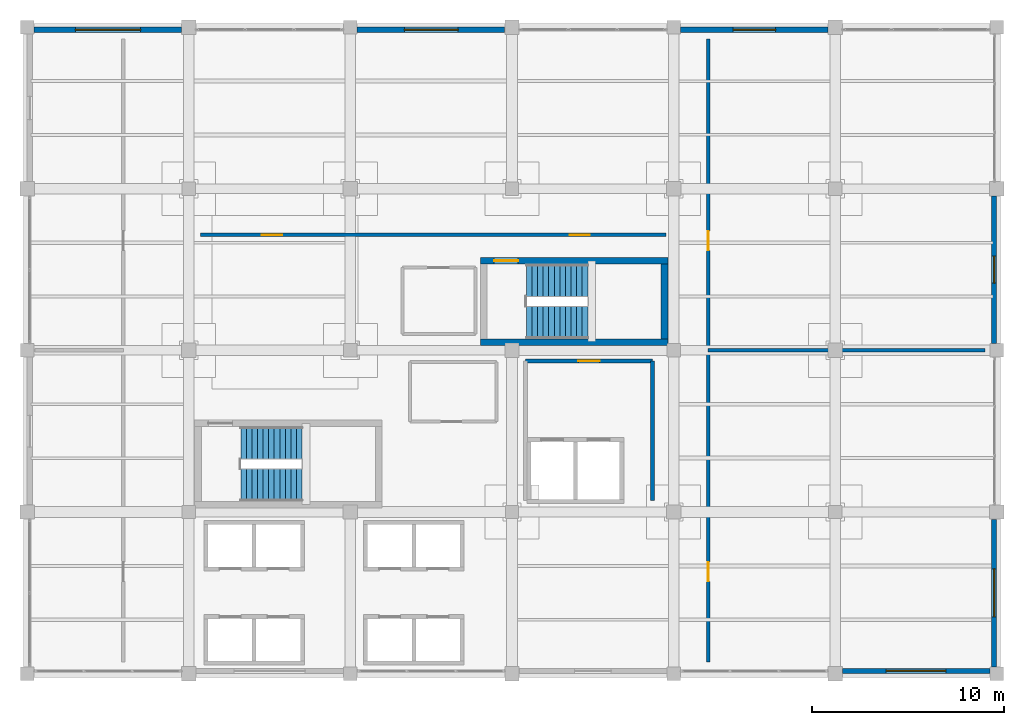
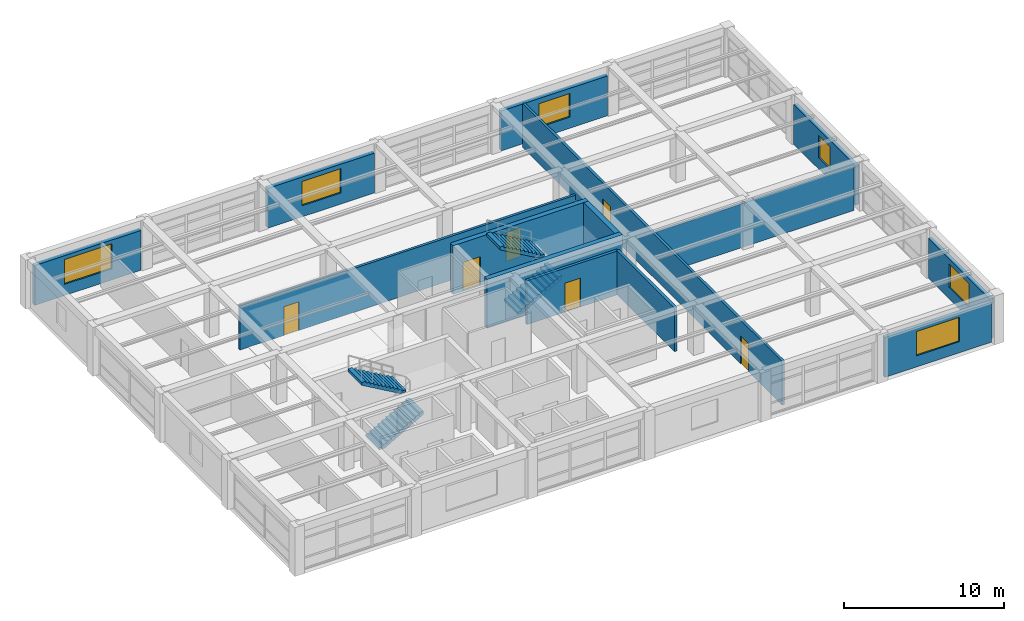
# One storey, part 25 of 26: 14 walls, 6 doors, 6 windows, 4 stair flights, 12 openings, 2 elements without a shape of their own.
"""IFC4 building model written with IfcOpenShell, lengths in metres."""

from ifc_helpers import new_model, si_unit, direction, frame, frame_2d, origin, place, context, subcontext, project, spatial, polyline, rectangle, outline, extrude, material, layer, layer_set, type_object, element, fill, aggregate, save


model = new_model("IFC4")

# Units and contexts
model_context = context("Model", 3, precision=1e-05, world=origin(), true_north=direction((0.0, 1.0)))
body_context = subcontext(model_context, "Body", "Model", "MODEL_VIEW")
ifc_project = project(units=[si_unit("LENGTHUNIT", "METRE"), si_unit("AREAUNIT", "SQUARE_METRE"), si_unit("VOLUMEUNIT", "CUBIC_METRE"), si_unit("PLANEANGLEUNIT", "RADIAN"), si_unit("MASSUNIT", "GRAM", prefix="KILO")], contexts=[model_context])

# Site, building, storey
site_placement = place(None, origin())
site = spatial("IfcSite", under=ifc_project, at=site_placement, CompositionType="ELEMENT")
building_placement = place(site_placement, origin())
building = spatial("IfcBuilding", under=site, at=building_placement, Name="Almacenes y Pasaje Nevantli", CompositionType="ELEMENT")
storey_placement = place(building_placement, frame((0.0, 0.0, 30.699951171875)))
storey = spatial("IfcBuildingStorey", under=building, at=storey_placement, Name="L07", CompositionType="ELEMENT", Elevation=30.699951171875)

# Wall, openings, doors
ifc_material_1 = material(Name="Insulated Double-Gypsum Fire Partition", Category="gypsum")
ifc_layer_1 = layer(ifc_material_1, 0.179931640625)
ifc_layer_set_1 = layer_set([ifc_layer_1], Name="Insulated Double-Gypsum Fire Partition")
wall_type_1 = type_object("IfcWallType", Name="WL-COMP-180", PredefinedType="PARTITIONING", material=ifc_layer_set_1)
wall_1_placement = place(storey_placement, frame((118.199951171875, 90.0, 0.0), z_axis=(0.0, 0.0, 1.0), x_axis=(1.0, 0.0, 0.0)))
wall_1 = element("IfcWall", 1, at=wall_1_placement, inside=storey, type_object=wall_type_1, Name="L07 Interior Partition Wall IW-180 #140", PredefinedType="PARTITIONING", context=body_context, shape_type="SweptSolid", body=[
    extrude(rectangle(XDim=24.199951171875, YDim=0.179931640625, at=frame_2d((12.10009765625, 0.0))), origin(), (0.0, 0.0, 1.0), 3.340087890625),
])
opening_1_placement = place(wall_1_placement, frame((3.199951171875, 0.0, 0.0)))
opening_1 = element("IfcOpeningElement", 2, at=opening_1_placement, cuts=wall_1, Name="Opening ID-L07-075", PredefinedType="OPENING", context=body_context, shape_type="SweptSolid", body=[
    extrude(rectangle(XDim=1.050048828125, YDim=2.199951171875, at=frame_2d((0.52490234375, 1.10009765625))), frame((0.0, 0.099853515625, 0.0), z_axis=(0.0, -1.0, 0.0), x_axis=(1.0, 0.0, 0.0)), (0.0, 0.0, 1.0), 0.199951171875),
])
opening_2_placement = place(wall_1_placement, frame((19.199951171875, 0.0, 0.0)))
opening_2 = element("IfcOpeningElement", 3, at=opening_2_placement, cuts=wall_1, Name="Opening ID-L07-076", PredefinedType="OPENING", context=body_context, shape_type="SweptSolid", body=[
    extrude(rectangle(XDim=1.050048828125, YDim=2.199951171875, at=frame_2d((0.52490234375, 1.10009765625))), frame((0.0, 0.099853515625, 0.0), z_axis=(0.0, -1.0, 0.0), x_axis=(1.0, 0.0, 0.0)), (0.0, 0.0, 1.0), 0.199951171875),
])
ifc_material_2 = material(Name="Fire-Rated Mineral-Core Steel", Category="steel")
door_type_1 = type_object("IfcDoorType", Name="DR-FD60-1050", OperationType="SINGLE_SWING_LEFT", PredefinedType="DOOR", material=ifc_material_2)
door_1_placement = place(opening_1_placement, origin())
door_1 = element("IfcDoor", 4, at=door_1_placement, inside=storey, type_object=door_type_1, Name="L07 L07 North Suite Door 1", OperationType="SINGLE_SWING_LEFT", OverallHeight=2.199951171875, OverallWidth=1.050048828125, PredefinedType="DOOR", context=body_context, shape_type="SweptSolid", body=[
    extrude(rectangle(XDim=1.050048828125, YDim=2.199951171875, at=frame_2d((0.52490234375, 1.10009765625))), frame((0.0, 0.02490234375, 0.0), z_axis=(0.0, -1.0, 0.0), x_axis=(1.0, 0.0, 0.0)), (0.0, 0.0, 1.0), 0.050048828125),
])
fill(opening_1, door_1)
ifc_material_3 = material(Name="Fire-Rated Mineral-Core Steel", Category="steel")
door_type_2 = type_object("IfcDoorType", Name="DR-FD60-1050R", OperationType="SINGLE_SWING_RIGHT", PredefinedType="DOOR", material=ifc_material_3)
door_2_placement = place(opening_2_placement, origin())
door_2 = element("IfcDoor", 5, at=door_2_placement, inside=storey, type_object=door_type_2, Name="L07 L07 North Suite Door 2", OperationType="SINGLE_SWING_RIGHT", OverallHeight=2.199951171875, OverallWidth=1.050048828125, PredefinedType="DOOR", context=body_context, shape_type="SweptSolid", body=[
    extrude(rectangle(XDim=1.050048828125, YDim=2.199951171875, at=frame_2d((0.52490234375, 1.10009765625))), frame((0.0, 0.02490234375, 0.0), z_axis=(0.0, -1.0, 0.0), x_axis=(1.0, 0.0, 0.0)), (0.0, 0.0, 1.0), 0.050048828125),
])
fill(opening_2, door_2)

wall_2_placement = place(storey_placement, frame((144.60009765625, 67.800048828125, 0.0), z_axis=(0.0, 0.0, 1.0), x_axis=(0.0, 1.0, 0.0)))
wall_2 = element("IfcWall", 6, at=wall_2_placement, inside=storey, type_object=wall_type_1, Name="L07 Interior Partition Wall IW-180 #141", PredefinedType="PARTITIONING", context=body_context, shape_type="SweptSolid", body=[
    extrude(rectangle(XDim=32.39990234375, YDim=0.179931640625, at=frame_2d((16.199951171875, 0.0))), origin(), (0.0, 0.0, 1.0), 3.340087890625),
])
opening_3_placement = place(wall_2_placement, frame((4.199951171875, 0.0, 0.0)))
opening_3 = element("IfcOpeningElement", 7, at=opening_3_placement, cuts=wall_2, Name="Opening ID-L07-077", PredefinedType="OPENING", context=body_context, shape_type="SweptSolid", body=[
    extrude(rectangle(XDim=1.0, YDim=2.14990234375, at=frame_2d((0.5, 1.074951171875))), frame((0.0, 0.099853515625, 0.0), z_axis=(0.0, -1.0, 0.0), x_axis=(1.0, 0.0, 0.0)), (0.0, 0.0, 1.0), 0.199951171875),
])
opening_4_placement = place(wall_2_placement, frame((21.39990234375, 0.0, 0.0)))
opening_4 = element("IfcOpeningElement", 8, at=opening_4_placement, cuts=wall_2, Name="Opening ID-L07-078", PredefinedType="OPENING", context=body_context, shape_type="SweptSolid", body=[
    extrude(rectangle(XDim=1.0, YDim=2.14990234375, at=frame_2d((0.5, 1.074951171875))), frame((0.0, 0.099853515625, 0.0), z_axis=(0.0, -1.0, 0.0), x_axis=(1.0, 0.0, 0.0)), (0.0, 0.0, 1.0), 0.199951171875),
])
ifc_material_4 = material(Name="Fire-Rated Mineral-Core Steel", Category="steel")
door_type_3 = type_object("IfcDoorType", Name="DR-FD60-1000", OperationType="SINGLE_SWING_LEFT", PredefinedType="DOOR", material=ifc_material_4)
door_3_placement = place(opening_3_placement, origin())
door_3 = element("IfcDoor", 9, at=door_3_placement, inside=storey, type_object=door_type_3, Name="L07 L07 SE Suite Door", OperationType="SINGLE_SWING_LEFT", OverallHeight=2.14990234375, OverallWidth=1.0, PredefinedType="DOOR", context=body_context, shape_type="SweptSolid", body=[
    extrude(rectangle(XDim=1.0, YDim=2.14990234375, at=frame_2d((0.5, 1.074951171875))), frame((0.0, 0.02490234375, 0.0), z_axis=(0.0, -1.0, 0.0), x_axis=(1.0, 0.0, 0.0)), (0.0, 0.0, 1.0), 0.050048828125),
])
fill(opening_3, door_3)
ifc_material_5 = material(Name="Fire-Rated Mineral-Core Steel", Category="steel")
door_type_4 = type_object("IfcDoorType", Name="DR-FD60-1000R", OperationType="SINGLE_SWING_RIGHT", PredefinedType="DOOR", material=ifc_material_5)
door_4_placement = place(opening_4_placement, origin())
door_4 = element("IfcDoor", 10, at=door_4_placement, inside=storey, type_object=door_type_4, Name="L07 L07 NE Suite Door", OperationType="SINGLE_SWING_RIGHT", OverallHeight=2.14990234375, OverallWidth=1.0, PredefinedType="DOOR", context=body_context, shape_type="SweptSolid", body=[
    extrude(rectangle(XDim=1.0, YDim=2.14990234375, at=frame_2d((0.5, 1.074951171875))), frame((0.0, 0.02490234375, 0.0), z_axis=(0.0, -1.0, 0.0), x_axis=(1.0, 0.0, 0.0)), (0.0, 0.0, 1.0), 0.050048828125),
])
fill(opening_4, door_4)

# Wall
wall_3_placement = place(storey_placement, frame((144.60009765625, 84.0, 0.0), z_axis=(0.0, 0.0, 1.0), x_axis=(1.0, 0.0, 0.0)))
element("IfcWall", 11, at=wall_3_placement, inside=storey, type_object=wall_type_1, Name="L07 Interior Partition Wall IW-180 #142", PredefinedType="PARTITIONING", context=body_context, shape_type="SweptSolid", body=[
    extrude(rectangle(XDim=14.39990234375, YDim=0.179931640625, at=frame_2d((7.199951171875, 0.0))), origin(), (0.0, 0.0, 1.0), 3.340087890625),
])

# Wall, opening, door
ifc_material_6 = material(Name="Fire-Rated Concrete Blockwork", Category="masonry")
ifc_layer_2 = layer(ifc_material_6, 0.199951171875)
ifc_layer_set_2 = layer_set([ifc_layer_2], Name="Fire-Rated Concrete Blockwork")
wall_type_2 = type_object("IfcWallType", Name="WL-COMP-200", PredefinedType="PARTITIONING", material=ifc_layer_set_2)
wall_4_placement = place(storey_placement, frame((135.10009765625, 83.449951171875, 0.0), z_axis=(0.0, 0.0, 1.0), x_axis=(1.0, 0.0, 0.0)))
wall_4 = element("IfcWall", 12, at=wall_4_placement, inside=storey, type_object=wall_type_2, Name="L07 Interior Partition Wall IW-200 #127", PredefinedType="PARTITIONING", context=body_context, shape_type="SweptSolid", body=[
    extrude(rectangle(XDim=6.599853515625, YDim=0.199951171875, at=frame_2d((3.2998046875, 0.0))), origin(), (0.0, 0.0, 1.0), 3.340087890625),
])
opening_5_placement = place(wall_4_placement, frame((2.75, 0.0, 0.0)))
opening_5 = element("IfcOpeningElement", 13, at=opening_5_placement, cuts=wall_4, Name="Opening ID-L07-070", PredefinedType="OPENING", context=body_context, shape_type="SweptSolid", body=[
    extrude(rectangle(XDim=1.10009765625, YDim=2.199951171875, at=frame_2d((0.550048828125, 1.10009765625))), frame((0.0, 0.10986328125, 0.0), z_axis=(0.0, -1.0, 0.0), x_axis=(1.0, 0.0, 0.0)), (0.0, 0.0, 1.0), 0.219970703125),
])
ifc_material_7 = material(Name="Galvanized Fire-Rated Steel", Category="steel")
door_type_5 = type_object("IfcDoorType", Name="DR-FD90-1100R", OperationType="SINGLE_SWING_RIGHT", PredefinedType="DOOR", material=ifc_material_7)
door_5_placement = place(opening_5_placement, origin())
door_5 = element("IfcDoor", 14, at=door_5_placement, inside=storey, type_object=door_type_5, Name="L07 Firefighting Lobby Door", OperationType="SINGLE_SWING_RIGHT", OverallHeight=2.199951171875, OverallWidth=1.10009765625, PredefinedType="DOOR", context=body_context, shape_type="SweptSolid", body=[
    extrude(rectangle(XDim=1.10009765625, YDim=2.199951171875, at=frame_2d((0.550048828125, 1.10009765625))), frame((0.0, 0.02490234375, 0.0), z_axis=(0.0, -1.0, 0.0), x_axis=(1.0, 0.0, 0.0)), (0.0, 0.0, 1.0), 0.050048828125),
])
fill(opening_5, door_5)

# Walls
wall_5_placement = place(storey_placement, frame((141.699951171875, 76.199951171875, 0.0), z_axis=(0.0, 0.0, 1.0), x_axis=(0.0, 1.0, 0.0)))
element("IfcWall", 15, at=wall_5_placement, inside=storey, type_object=wall_type_2, Name="L07 Interior Partition Wall IW-200 #129", PredefinedType="PARTITIONING", context=body_context, shape_type="SweptSolid", body=[
    extrude(rectangle(XDim=7.25, YDim=0.199951171875, at=frame_2d((3.625, 0.0))), origin(), (0.0, 0.0, 1.0), 3.340087890625),
])
ifc_material_8 = material(Name="Concrete C45/55", Category="concrete")
ifc_layer_3 = layer(ifc_material_8, 0.35009765625)
ifc_layer_set_3 = layer_set([ifc_layer_3], Name="Concrete C45/55")
wall_type_3 = type_object("IfcWallType", Name="WL-CORE-350", PredefinedType="SHEAR", material=ifc_layer_set_3)
wall_6_placement = place(storey_placement, frame((132.75, 84.425048828125, 0.0), z_axis=(0.0, 0.0, 1.0), x_axis=(1.0, 0.0, 0.0)))
element("IfcWall", 16, at=wall_6_placement, inside=storey, type_object=wall_type_3, Name="L07 Exit Stair ST-02 South Core Shear Wall", PredefinedType="SHEAR", context=body_context, shape_type="SweptSolid", body=[
    extrude(rectangle(XDim=9.75, YDim=0.35009765625, at=frame_2d((4.875, 0.0))), origin(), (0.0, 0.0, 1.0), 3.719970703125),
])

# Wall, opening, door
wall_7_placement = place(storey_placement, frame((132.75, 88.6650390625, 0.0), z_axis=(0.0, 0.0, 1.0), x_axis=(1.0, 0.0, 0.0)))
wall_7 = element("IfcWall", 17, at=wall_7_placement, inside=storey, type_object=wall_type_3, Name="L07 Exit Stair ST-02 North Core Shear Wall", PredefinedType="SHEAR", context=body_context, shape_type="SweptSolid", body=[
    extrude(rectangle(XDim=9.75, YDim=0.35009765625, at=frame_2d((4.875, 0.0))), origin(), (0.0, 0.0, 1.0), 3.719970703125),
])
opening_6_placement = place(wall_7_placement, frame((0.719970703125, 0.0, 0.0)))
opening_6 = element("IfcOpeningElement", 18, at=opening_6_placement, cuts=wall_7, Name="Opening SD-02-L07", PredefinedType="OPENING", context=body_context, shape_type="SweptSolid", body=[
    extrude(rectangle(XDim=1.25, YDim=2.199951171875, at=frame_2d((0.625, 1.10009765625))), frame((0.0, 0.18505859375, 0.0), z_axis=(0.0, -1.0, 0.0), x_axis=(1.0, 0.0, 0.0)), (0.0, 0.0, 1.0), 0.3701171875),
])
ifc_material_9 = material(Name="Galvanized Fire-Rated Steel", Category="steel")
door_type_6 = type_object("IfcDoorType", Name="DR-STAIR-1250R", OperationType="SINGLE_SWING_RIGHT", PredefinedType="DOOR", material=ifc_material_9)
door_6_placement = place(opening_6_placement, origin())
door_6 = element("IfcDoor", 19, at=door_6_placement, inside=storey, type_object=door_type_6, Name="L07 Smokeproof Exit Stair ST-02 Fire Door", OperationType="SINGLE_SWING_RIGHT", OverallHeight=2.199951171875, OverallWidth=1.25, PredefinedType="DOOR", context=body_context, shape_type="SweptSolid", body=[
    extrude(rectangle(XDim=1.25, YDim=2.199951171875, at=frame_2d((0.625, 1.10009765625))), frame((0.0, 0.02490234375, 0.0), z_axis=(0.0, -1.0, 0.0), x_axis=(1.0, 0.0, 0.0)), (0.0, 0.0, 1.0), 0.050048828125),
])
fill(opening_6, door_6)

# Wall
wall_8_placement = place(storey_placement, frame((142.324951171875, 84.60009765625, 0.0), z_axis=(0.0, 0.0, 1.0), x_axis=(0.0, 1.0, 0.0)))
element("IfcWall", 20, at=wall_8_placement, inside=storey, type_object=wall_type_3, Name="L07 Exit Stair ST-02 East Core Shear Wall", PredefinedType="SHEAR", context=body_context, shape_type="SweptSolid", body=[
    extrude(rectangle(XDim=3.889892578125, YDim=0.35009765625, at=frame_2d((1.94482421875, 0.0))), origin(), (0.0, 0.0, 1.0), 3.719970703125),
])

# Wall, opening, window
ifc_material_10 = material(Name="Architectural Precast Concrete C35/45 Spandrel Wall", Category="concrete")
ifc_layer_4 = layer(ifc_material_10, 0.280029296875)
ifc_layer_set_4 = layer_set([ifc_layer_4], Name="Architectural Precast Concrete C35/45 Spandrel Wall")
wall_type_4 = type_object("IfcWallType", Name="WL-EXT-CANTERA-280", PredefinedType="SOLIDWALL", material=ifc_layer_set_4)
wall_9_placement = place(storey_placement, frame((109.553955078125, 100.659912109375, 0.0), z_axis=(0.0, 0.0, 1.0), x_axis=(1.0, 0.0, 0.0)))
wall_9 = element("IfcWall", 21, at=wall_9_placement, inside=storey, type_object=wall_type_4, Name="L07 Tower North Polychrome Cantera Wall Bay 14", PredefinedType="SOLIDWALL", context=body_context, shape_type="SweptSolid", body=[
    extrude(rectangle(XDim=7.66796875, YDim=0.280029296875, at=frame_2d((3.833984375, 0.0))), origin(), (0.0, 0.0, 1.0), 3.0400390625),
])
opening_7_placement = place(wall_9_placement, frame((2.14599609375, 0.0, 0.85009765625)))
opening_7 = element("IfcOpeningElement", 22, at=opening_7_placement, cuts=wall_9, Name="Opening WT-27-202", PredefinedType="OPENING", context=body_context, shape_type="SweptSolid", body=[
    extrude(rectangle(XDim=3.39990234375, YDim=1.89990234375, at=frame_2d((1.699951171875, 0.949951171875))), frame((0.0, 0.14990234375, 0.0), z_axis=(0.0, -1.0, 0.0), x_axis=(1.0, 0.0, 0.0)), (0.0, 0.0, 1.0), 0.300048828125),
])
ifc_material_11 = material(Name="Thermally Broken Aluminium and Low-E Double Glazing", Category="aluminium")
window_type_1 = type_object("IfcWindowType", Name="WN-TWR-3400x1900", PartitioningType="SINGLE_PANEL", PredefinedType="WINDOW", material=ifc_material_11)
window_1_placement = place(opening_7_placement, origin())
window_1 = element("IfcWindow", 23, at=window_1_placement, inside=storey, type_object=window_type_1, Name="L07 Exterior Window WT-27 #202", OverallHeight=1.89990234375, OverallWidth=3.39990234375, PartitioningType="SINGLE_PANEL", PredefinedType="WINDOW", context=body_context, shape_type="SweptSolid", body=[
    extrude(rectangle(XDim=3.39990234375, YDim=1.89990234375, at=frame_2d((1.699951171875, 0.949951171875))), frame((0.0, 0.030029296875, 0.0), z_axis=(0.0, -1.0, 0.0), x_axis=(1.0, 0.0, 0.0)), (0.0, 0.0, 1.0), 0.06005859375),
])
fill(opening_7, window_1)

wall_10_placement = place(storey_placement, frame((126.35205078125, 100.659912109375, 0.0), z_axis=(0.0, 0.0, 1.0), x_axis=(1.0, 0.0, 0.0)))
wall_10 = element("IfcWall", 24, at=wall_10_placement, inside=storey, type_object=wall_type_4, Name="L07 Tower North Polychrome Cantera Wall Bay 16", PredefinedType="SOLIDWALL", context=body_context, shape_type="SweptSolid", body=[
    extrude(rectangle(XDim=7.669921875, YDim=0.280029296875, at=frame_2d((3.8349609375, 0.0))), origin(), (0.0, 0.0, 1.0), 3.0400390625),
])
opening_8_placement = place(wall_10_placement, frame((2.447998046875, 0.0, 0.85009765625)))
opening_8 = element("IfcOpeningElement", 25, at=opening_8_placement, cuts=wall_10, Name="Opening WT-29-204", PredefinedType="OPENING", context=body_context, shape_type="SweptSolid", body=[
    extrude(rectangle(XDim=2.800048828125, YDim=1.85009765625, at=frame_2d((1.39990234375, 0.925048828125))), frame((0.0, 0.14990234375, 0.0), z_axis=(0.0, -1.0, 0.0), x_axis=(1.0, 0.0, 0.0)), (0.0, 0.0, 1.0), 0.300048828125),
])
ifc_material_12 = material(Name="Thermally Broken Aluminium and Low-E Double Glazing", Category="aluminium")
window_type_2 = type_object("IfcWindowType", Name="WN-TWR-2800x1850", PartitioningType="SINGLE_PANEL", PredefinedType="WINDOW", material=ifc_material_12)
window_2_placement = place(opening_8_placement, origin())
window_2 = element("IfcWindow", 26, at=window_2_placement, inside=storey, type_object=window_type_2, Name="L07 Exterior Window WT-29 #204", OverallHeight=1.85009765625, OverallWidth=2.800048828125, PartitioningType="SINGLE_PANEL", PredefinedType="WINDOW", context=body_context, shape_type="SweptSolid", body=[
    extrude(rectangle(XDim=2.800048828125, YDim=1.85009765625, at=frame_2d((1.39990234375, 0.925048828125))), frame((0.0, 0.030029296875, 0.0), z_axis=(0.0, -1.0, 0.0), x_axis=(1.0, 0.0, 0.0)), (0.0, 0.0, 1.0), 0.06005859375),
])
fill(opening_8, window_2)

wall_11_placement = place(storey_placement, frame((143.154052734375, 100.659912109375, 0.0), z_axis=(0.0, 0.0, 1.0), x_axis=(1.0, 0.0, 0.0)))
wall_11 = element("IfcWall", 27, at=wall_11_placement, inside=storey, type_object=wall_type_4, Name="L07 Tower North Polychrome Cantera Wall Bay 18", PredefinedType="SOLIDWALL", context=body_context, shape_type="SweptSolid", body=[
    extrude(rectangle(XDim=7.66796875, YDim=0.280029296875, at=frame_2d((3.833984375, 0.0))), origin(), (0.0, 0.0, 1.0), 3.0400390625),
])
opening_9_placement = place(wall_11_placement, frame((2.74609375, 0.0, 0.85009765625)))
opening_9 = element("IfcOpeningElement", 28, at=opening_9_placement, cuts=wall_11, Name="Opening WT-31-206", PredefinedType="OPENING", context=body_context, shape_type="SweptSolid", body=[
    extrude(rectangle(XDim=2.199951171875, YDim=1.800048828125, at=frame_2d((1.10009765625, 0.89990234375))), frame((0.0, 0.14990234375, 0.0), z_axis=(0.0, -1.0, 0.0), x_axis=(1.0, 0.0, 0.0)), (0.0, 0.0, 1.0), 0.300048828125),
])
ifc_material_13 = material(Name="Thermally Broken Aluminium and Low-E Double Glazing", Category="aluminium")
window_type_3 = type_object("IfcWindowType", Name="WN-TWR-2200x1800", PartitioningType="SINGLE_PANEL", PredefinedType="WINDOW", material=ifc_material_13)
window_3_placement = place(opening_9_placement, origin())
window_3 = element("IfcWindow", 29, at=window_3_placement, inside=storey, type_object=window_type_3, Name="L07 Exterior Window WT-31 #206", OverallHeight=1.800048828125, OverallWidth=2.199951171875, PartitioningType="SINGLE_PANEL", PredefinedType="WINDOW", context=body_context, shape_type="SweptSolid", body=[
    extrude(rectangle(XDim=2.199951171875, YDim=1.800048828125, at=frame_2d((1.10009765625, 0.89990234375))), frame((0.0, 0.030029296875, 0.0), z_axis=(0.0, -1.0, 0.0), x_axis=(1.0, 0.0, 0.0)), (0.0, 0.0, 1.0), 0.06005859375),
])
fill(opening_9, window_3)

ifc_material_14 = material(Name="Cream Architectural Precast Concrete C35/45 Wall", Category="concrete")
ifc_layer_5 = layer(ifc_material_14, 0.260009765625)
ifc_layer_set_5 = layer_set([ifc_layer_5], Name="Cream Architectural Precast Concrete C35/45 Wall")
wall_type_5 = type_object("IfcWallType", Name="WL-EXT-PRECAST-260", PredefinedType="SOLIDWALL", material=ifc_layer_set_5)
wall_12_placement = place(storey_placement, frame((151.577880859375, 67.340087890625, 0.0), z_axis=(0.0, 0.0, 1.0), x_axis=(1.0, 0.0, 0.0)))
wall_12 = element("IfcWall", 30, at=wall_12_placement, inside=storey, type_object=wall_type_5, Name="L07 Tower South Precast Spandrel Wall Bay 19", PredefinedType="SOLIDWALL", context=body_context, shape_type="SweptSolid", body=[
    extrude(rectangle(XDim=7.668212890625, YDim=0.260009765625, at=frame_2d((3.833984375, 0.0))), origin(), (0.0, 0.0, 1.0), 3.0400390625),
])
opening_10_placement = place(wall_12_placement, frame((2.27197265625, 0.0, 0.85009765625)))
opening_10 = element("IfcOpeningElement", 31, at=opening_10_placement, cuts=wall_12, Name="Opening WT-28-207", PredefinedType="OPENING", context=body_context, shape_type="SweptSolid", body=[
    extrude(rectangle(XDim=3.10009765625, YDim=1.85009765625, at=frame_2d((1.550048828125, 0.925048828125))), frame((0.0, 0.139892578125, 0.0), z_axis=(0.0, -1.0, 0.0), x_axis=(1.0, 0.0, 0.0)), (0.0, 0.0, 1.0), 0.280029296875),
])
ifc_material_15 = material(Name="Thermally Broken Aluminium and Low-E Double Glazing", Category="aluminium")
window_type_4 = type_object("IfcWindowType", Name="WN-TWR-3100x1850", PartitioningType="SINGLE_PANEL", PredefinedType="WINDOW", material=ifc_material_15)
window_4_placement = place(opening_10_placement, origin())
window_4 = element("IfcWindow", 32, at=window_4_placement, inside=storey, type_object=window_type_4, Name="L07 Exterior Window WT-28 #207", OverallHeight=1.85009765625, OverallWidth=3.10009765625, PartitioningType="SINGLE_PANEL", PredefinedType="WINDOW", context=body_context, shape_type="SweptSolid", body=[
    extrude(rectangle(XDim=3.10009765625, YDim=1.85009765625, at=frame_2d((1.550048828125, 0.925048828125))), frame((0.0, 0.030029296875, 0.0), z_axis=(0.0, -1.0, 0.0), x_axis=(1.0, 0.0, 0.0)), (0.0, 0.0, 1.0), 0.06005859375),
])
fill(opening_10, window_4)

wall_13_placement = place(storey_placement, frame((159.4599609375, 67.553955078125, 0.0), z_axis=(0.0, 0.0, 1.0), x_axis=(0.0, 1.0, 0.0)))
wall_13 = element("IfcWall", 33, at=wall_13_placement, inside=storey, type_object=wall_type_5, Name="L07 Tower East Precast Wall Bay 9", PredefinedType="SOLIDWALL", context=body_context, shape_type="SweptSolid", body=[
    extrude(rectangle(XDim=7.66796875, YDim=0.260009765625, at=frame_2d((3.833984375, 0.0))), origin(), (0.0, 0.0, 1.0), 3.0400390625),
])
opening_11_placement = place(wall_13_placement, frame((2.595947265625, 0.0, 0.85009765625)))
opening_11 = element("IfcOpeningElement", 34, at=opening_11_placement, cuts=wall_13, Name="Opening WT-30-208", PredefinedType="OPENING", context=body_context, shape_type="SweptSolid", body=[
    extrude(rectangle(XDim=2.5, YDim=1.800048828125, at=frame_2d((1.25, 0.89990234375))), frame((0.0, 0.139892578125, 0.0), z_axis=(0.0, -1.0, 0.0), x_axis=(1.0, 0.0, 0.0)), (0.0, 0.0, 1.0), 0.280029296875),
])
ifc_material_16 = material(Name="Thermally Broken Aluminium and Low-E Double Glazing", Category="aluminium")
window_type_5 = type_object("IfcWindowType", Name="WN-TWR-2500x1800", PartitioningType="SINGLE_PANEL", PredefinedType="WINDOW", material=ifc_material_16)
window_5_placement = place(opening_11_placement, origin())
window_5 = element("IfcWindow", 35, at=window_5_placement, inside=storey, type_object=window_type_5, Name="L07 Exterior Window WT-30 #208", OverallHeight=1.800048828125, OverallWidth=2.5, PartitioningType="SINGLE_PANEL", PredefinedType="WINDOW", context=body_context, shape_type="SweptSolid", body=[
    extrude(rectangle(XDim=2.5, YDim=1.800048828125, at=frame_2d((1.25, 0.89990234375))), frame((0.0, 0.030029296875, 0.0), z_axis=(0.0, -1.0, 0.0), x_axis=(1.0, 0.0, 0.0)), (0.0, 0.0, 1.0), 0.06005859375),
])
fill(opening_11, window_5)

wall_14_placement = place(storey_placement, frame((159.4599609375, 84.35205078125, 0.0), z_axis=(0.0, 0.0, 1.0), x_axis=(0.0, 1.0, 0.0)))
wall_14 = element("IfcWall", 36, at=wall_14_placement, inside=storey, type_object=wall_type_5, Name="L07 Tower East Precast Wall Bay 11", PredefinedType="SOLIDWALL", context=body_context, shape_type="SweptSolid", body=[
    extrude(rectangle(XDim=7.669921875, YDim=0.260009765625, at=frame_2d((3.8349609375, 0.0))), origin(), (0.0, 0.0, 1.0), 3.0400390625),
])
opening_12_placement = place(wall_14_placement, frame((3.14794921875, 0.0, 0.85009765625)))
opening_12 = element("IfcOpeningElement", 37, at=opening_12_placement, cuts=wall_14, Name="Opening WT-34-210", PredefinedType="OPENING", context=body_context, shape_type="SweptSolid", body=[
    extrude(rectangle(XDim=1.39990234375, YDim=1.699951171875, at=frame_2d((0.699951171875, 0.85009765625))), frame((0.0, 0.139892578125, 0.0), z_axis=(0.0, -1.0, 0.0), x_axis=(1.0, 0.0, 0.0)), (0.0, 0.0, 1.0), 0.280029296875),
])
ifc_material_17 = material(Name="Thermally Broken Aluminium and Low-E Double Glazing", Category="aluminium")
window_type_6 = type_object("IfcWindowType", Name="WN-TWR-1400x1700", PartitioningType="SINGLE_PANEL", PredefinedType="WINDOW", material=ifc_material_17)
window_6_placement = place(opening_12_placement, origin())
window_6 = element("IfcWindow", 38, at=window_6_placement, inside=storey, type_object=window_type_6, Name="L07 Exterior Window WT-34 #210", OverallHeight=1.699951171875, OverallWidth=1.39990234375, PartitioningType="SINGLE_PANEL", PredefinedType="WINDOW", context=body_context, shape_type="SweptSolid", body=[
    extrude(rectangle(XDim=1.39990234375, YDim=1.699951171875, at=frame_2d((0.699951171875, 0.85009765625))), frame((0.0, 0.030029296875, 0.0), z_axis=(0.0, -1.0, 0.0), x_axis=(1.0, 0.0, 0.0)), (0.0, 0.0, 1.0), 0.06005859375),
])
fill(opening_12, window_6)

# Stair, stair flights
ifc_material_18 = material(Name="Concrete C35/45", Category="concrete")
stair_type = type_object("IfcStairType", Name="STR-CORE-1720", PredefinedType="HALF_TURN_STAIR", material=ifc_material_18)
stair_1_placement = place(storey_placement, origin())
stair_1 = element("IfcStair", 39, at=stair_1_placement, inside=storey, type_object=stair_type, Name="L07 Staircase ST-01", PredefinedType="HALF_TURN_STAIR")
ifc_material_19 = material(Name="Concrete C35/45", Category="concrete")
ifc_layer_6 = layer(ifc_material_19, 0.199951171875)
ifc_layer_set_6 = layer_set([ifc_layer_6], Name="Concrete C35/45")
stair_flight_type = type_object("IfcStairFlightType", Name="SFL-RC-200", PredefinedType="STRAIGHT", material=ifc_layer_set_6)
stair_flight_1_placement = place(storey_placement, frame((120.300048828125, 77.010009765625, 0.0), z_axis=(0.0, 0.0, 1.0), x_axis=(1.0, 0.0, 0.0)))
stair_flight_1 = element("IfcStairFlight", 40, at=stair_flight_1_placement, type_object=stair_flight_type, Name="ST-01-L07 flight 1", NumberOfRisers=12, NumberOfTreads=11, PredefinedType="STRAIGHT", RiserHeight=0.166667, TreadLength=0.29, context=body_context, shape_type="SweptSolid", body=[
    extrude(outline(polyline([(0.0, 0.0), (0.0, 0.166748046875), (0.2900390625, 0.166748046875), (0.2900390625, 0.333251953125), (0.580078125, 0.333251953125), (0.580078125, 0.5), (0.8701171875, 0.5), (0.8701171875, 0.666748046875), (1.159912109375, 0.666748046875), (1.159912109375, 0.833251953125), (1.449951171875, 0.833251953125), (1.449951171875, 1.0), (1.739990234375, 1.0), (1.739990234375, 1.166748046875), (2.030029296875, 1.166748046875), (2.030029296875, 1.333251953125), (2.320068359375, 1.333251953125), (2.320068359375, 1.5), (2.610107421875, 1.5), (2.610107421875, 1.666748046875), (2.89990234375, 1.666748046875), (2.89990234375, 1.833251953125), (3.18994140625, 1.833251953125), (3.18994140625, 2.0), (3.18994140625, 1.602783203125), (0.4013671875, 0.0), (0.0, 0.0)])), frame((0.0, 0.85986328125, 0.0), z_axis=(0.0, -1.0, 0.0), x_axis=(1.0, 0.0, 0.0)), (0.0, 0.0, 1.0), 1.719970703125),
])
stair_flight_2_placement = place(storey_placement, frame((123.489990234375, 79.179931640625, 2.0), z_axis=(0.0, 0.0, 1.0), x_axis=(-1.0, 0.0, 0.0)))
stair_flight_2 = element("IfcStairFlight", 41, at=stair_flight_2_placement, type_object=stair_flight_type, Name="ST-01-L07 flight 2", NumberOfRisers=12, NumberOfTreads=11, PredefinedType="STRAIGHT", RiserHeight=0.166667, TreadLength=0.29, context=body_context, shape_type="SweptSolid", body=[
    extrude(outline(polyline([(0.0, 0.0), (0.0, 0.166748046875), (0.2900390625, 0.166748046875), (0.2900390625, 0.333251953125), (0.580078125, 0.333251953125), (0.580078125, 0.5), (0.8701171875, 0.5), (0.8701171875, 0.666748046875), (1.159912109375, 0.666748046875), (1.159912109375, 0.833251953125), (1.449951171875, 0.833251953125), (1.449951171875, 1.0), (1.739990234375, 1.0), (1.739990234375, 1.166748046875), (2.030029296875, 1.166748046875), (2.030029296875, 1.333251953125), (2.320068359375, 1.333251953125), (2.320068359375, 1.5), (2.610107421875, 1.5), (2.610107421875, 1.666748046875), (2.89990234375, 1.666748046875), (2.89990234375, 1.833251953125), (3.18994140625, 1.833251953125), (3.18994140625, 2.0), (3.18994140625, 1.602783203125), (0.4013671875, 0.0), (0.0, 0.0)])), frame((0.0, 0.85986328125, 0.0), z_axis=(0.0, -1.0, 0.0), x_axis=(1.0, 0.0, 0.0)), (0.0, 0.0, 1.0), 1.719970703125),
])
aggregate(stair_1, [stair_flight_1, stair_flight_2])

stair_2_placement = place(storey_placement, origin())
stair_2 = element("IfcStair", 42, at=stair_2_placement, inside=storey, type_object=stair_type, Name="L07 Staircase ST-02", PredefinedType="HALF_TURN_STAIR")
stair_flight_3_placement = place(storey_placement, frame((135.14990234375, 85.4599609375, 0.0), z_axis=(0.0, 0.0, 1.0), x_axis=(1.0, 0.0, 0.0)))
stair_flight_3 = element("IfcStairFlight", 43, at=stair_flight_3_placement, type_object=stair_flight_type, Name="ST-02-L07 flight 1", NumberOfRisers=12, NumberOfTreads=11, PredefinedType="STRAIGHT", RiserHeight=0.166667, TreadLength=0.29, context=body_context, shape_type="SweptSolid", body=[
    extrude(outline(polyline([(0.0, 0.0), (0.0, 0.166748046875), (0.2900390625, 0.166748046875), (0.2900390625, 0.333251953125), (0.580078125, 0.333251953125), (0.580078125, 0.5), (0.8701171875, 0.5), (0.8701171875, 0.666748046875), (1.159912109375, 0.666748046875), (1.159912109375, 0.833251953125), (1.449951171875, 0.833251953125), (1.449951171875, 1.0), (1.739990234375, 1.0), (1.739990234375, 1.166748046875), (2.030029296875, 1.166748046875), (2.030029296875, 1.333251953125), (2.320068359375, 1.333251953125), (2.320068359375, 1.5), (2.610107421875, 1.5), (2.610107421875, 1.666748046875), (2.89990234375, 1.666748046875), (2.89990234375, 1.833251953125), (3.18994140625, 1.833251953125), (3.18994140625, 2.0), (3.18994140625, 1.602783203125), (0.4013671875, 0.0), (0.0, 0.0)])), frame((0.0, 0.85986328125, 0.0), z_axis=(0.0, -1.0, 0.0), x_axis=(1.0, 0.0, 0.0)), (0.0, 0.0, 1.0), 1.719970703125),
])
stair_flight_4_placement = place(storey_placement, frame((138.340087890625, 87.6298828125, 2.0), z_axis=(0.0, 0.0, 1.0), x_axis=(-1.0, 0.0, 0.0)))
stair_flight_4 = element("IfcStairFlight", 44, at=stair_flight_4_placement, type_object=stair_flight_type, Name="ST-02-L07 flight 2", NumberOfRisers=12, NumberOfTreads=11, PredefinedType="STRAIGHT", RiserHeight=0.166667, TreadLength=0.29, context=body_context, shape_type="SweptSolid", body=[
    extrude(outline(polyline([(0.0, 0.0), (0.0, 0.166748046875), (0.2900390625, 0.166748046875), (0.2900390625, 0.333251953125), (0.580078125, 0.333251953125), (0.580078125, 0.5), (0.8701171875, 0.5), (0.8701171875, 0.666748046875), (1.159912109375, 0.666748046875), (1.159912109375, 0.833251953125), (1.449951171875, 0.833251953125), (1.449951171875, 1.0), (1.739990234375, 1.0), (1.739990234375, 1.166748046875), (2.030029296875, 1.166748046875), (2.030029296875, 1.333251953125), (2.320068359375, 1.333251953125), (2.320068359375, 1.5), (2.610107421875, 1.5), (2.610107421875, 1.666748046875), (2.89990234375, 1.666748046875), (2.89990234375, 1.833251953125), (3.18994140625, 1.833251953125), (3.18994140625, 2.0), (3.18994140625, 1.602783203125), (0.4013671875, 0.0), (0.0, 0.0)])), frame((0.0, 0.85986328125, 0.0), z_axis=(0.0, -1.0, 0.0), x_axis=(1.0, 0.0, 0.0)), (0.0, 0.0, 1.0), 1.719970703125),
])
aggregate(stair_2, [stair_flight_3, stair_flight_4])

save(model, "model.ifc")
